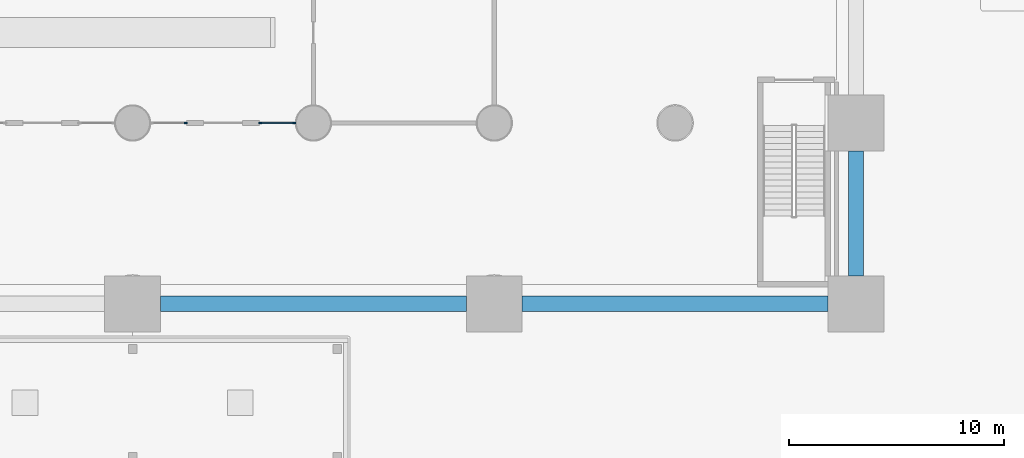
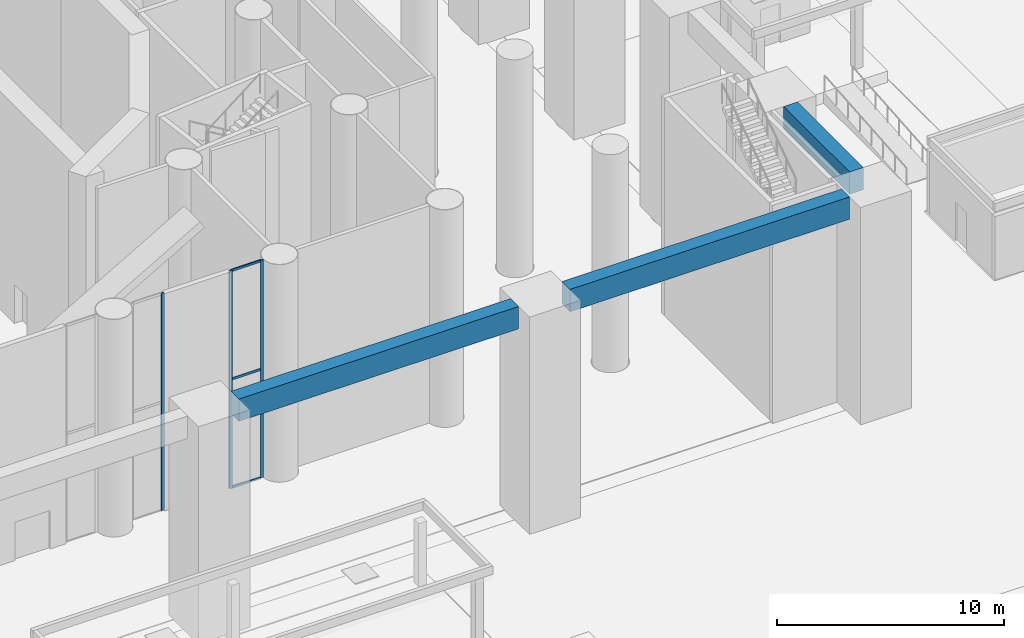
# One storey, part 4 of 52: 6 members, 3 beams, 2 elements without a shape of their own.
"""IFC4 building model written with IfcOpenShell, lengths in metres."""

from ifc_helpers import new_model, si_unit, direction, frame, origin, origin_2d, place, context, subcontext, project, spatial, rectangle, extrude, material, material_profile, profile_set, type_object, element, aggregate, save


model = new_model("IFC4")

# Units and contexts
model_context = context("Model", 3, precision=1e-05, world=origin(), true_north=direction((0.0, 1.0)))
body_context = subcontext(model_context, "Body", "Model", "MODEL_VIEW")
ifc_project = project(units=[si_unit("LENGTHUNIT", "METRE"), si_unit("AREAUNIT", "SQUARE_METRE"), si_unit("VOLUMEUNIT", "CUBIC_METRE"), si_unit("PLANEANGLEUNIT", "RADIAN"), si_unit("MASSUNIT", "GRAM", prefix="KILO")], contexts=[model_context])

# Site, building, storey
site_placement = place(None, origin())
site = spatial("IfcSite", under=ifc_project, at=site_placement, CompositionType="ELEMENT")
building_placement = place(site_placement, origin())
building = spatial("IfcBuilding", under=site, at=building_placement, Name="Cantera Rosa Tower", CompositionType="ELEMENT")
storey_placement = place(building_placement, origin())
storey = spatial("IfcBuildingStorey", under=building, at=storey_placement, Name="L00", CompositionType="ELEMENT", Elevation=0.0)

# Beams
ifc_material_1 = material(Name="Concrete C50/60", Category="concrete")
ifc_material_profile_1 = material_profile(ifc_material_1, rectangle(XDim=0.699951171875, YDim=1.199951171875, at=origin_2d()), Name="Edge girder 700x1200")
ifc_profile_set_1 = profile_set([ifc_material_profile_1], Name="Concrete C50/60")
beam_type = type_object("IfcBeamType", Name="Edge girder 700x1200", PredefinedType="BEAM", material=ifc_profile_set_1)
for number, where, z_axis, x_axis, name in (
    (1, (1.300048828125, -29.39990234375, 11.10009765625), (1.0, 0.0, 0.0), (0.0, 1.0, 0.0), "Edge girder L00-08"),
    (2, (18.10009765625, -29.39990234375, 11.10009765625), (1.0, 0.0, 0.0), (0.0, 1.0, 0.0), "Edge girder L00-10"),
):
    element("IfcBeam", number, at=place(storey_placement, frame(where, z_axis=z_axis, x_axis=x_axis)), inside=storey, type_object=beam_type, Name=name, PredefinedType="BEAM", context=body_context, shape_type="SweptSolid", body=[
        extrude(rectangle(XDim=0.699951171875, YDim=1.199951171875, at=origin_2d()), origin(), (0.0, 0.0, 1.0), 14.199951171875),
    ])
beam_placement = place(storey_placement, frame((33.60009765625, -28.10009765625, 11.10009765625), z_axis=(0.0, 1.0, 0.0), x_axis=(-1.0, 0.0, 0.0)))
element("IfcBeam", 3, at=beam_placement, inside=storey, type_object=beam_type, Name="Edge girder L00-12", PredefinedType="BEAM", context=body_context, shape_type="SweptSolid", body=[
    extrude(rectangle(XDim=0.699951171875, YDim=1.199951171875, at=origin_2d()), origin(), (0.0, 0.0, 1.0), 5.800048828125),
])

# Curtain wall, members
ifc_material_2 = material(Name="Glass", Category="glass")
curtain_wall_type = type_object("IfcCurtainWallType", Name="Pavilion curtain wall", PredefinedType="NOTDEFINED", material=ifc_material_2)
curtain_wall_1_placement = place(storey_placement, origin())
curtain_wall_1 = element("IfcCurtainWall", 4, at=curtain_wall_1_placement, inside=storey, type_object=curtain_wall_type, Name="Pavilion curtain wall RESID 12", PredefinedType="NOTDEFINED")
ifc_material_3 = material(Name="Aluminium", Category="aluminium")
ifc_material_profile_2 = material_profile(ifc_material_3, rectangle(XDim=0.06005859375, YDim=0.159912109375, at=origin_2d()), Name="Mullion pavilion 60x160")
ifc_profile_set_2 = profile_set([ifc_material_profile_2], Name="Aluminium")
member_type_1 = type_object("IfcMemberType", Name="Mullion pavilion 60x160", PredefinedType="MULLION", material=ifc_profile_set_2)
member_1_placement = place(storey_placement, frame((7.510009765625, -21.0, 0.0), z_axis=(0.0, 0.0, 1.0), x_axis=(0.0, -1.0, 0.0)))
member_1 = element("IfcMember", 5, at=member_1_placement, type_object=member_type_1, Name="CW6 mullion 1", PredefinedType="MULLION", context=body_context, shape_type="SweptSolid", body=[
    extrude(rectangle(XDim=0.06005859375, YDim=0.159912109375, at=origin_2d()), origin(), (0.0, 0.0, 1.0), 11.699951171875),
])
member_2_placement = place(storey_placement, frame((5.929931640625, -21.0, 0.0), z_axis=(0.0, 0.0, 1.0), x_axis=(0.0, -1.0, 0.0)))
member_2 = element("IfcMember", 6, at=member_2_placement, type_object=member_type_1, Name="CW6 mullion 2", PredefinedType="MULLION", context=body_context, shape_type="SweptSolid", body=[
    extrude(rectangle(XDim=0.06005859375, YDim=0.159912109375, at=origin_2d()), origin(), (0.0, 0.0, 1.0), 11.699951171875),
])

# Curtain wall, member
curtain_wall_2_placement = place(storey_placement, origin())
curtain_wall_2 = element("IfcCurtainWall", 7, at=curtain_wall_2_placement, inside=storey, type_object=curtain_wall_type, Name="Pavilion curtain wall RESID 12", PredefinedType="NOTDEFINED")
member_3_placement = place(storey_placement, frame((2.469970703125, -21.0, 0.0), z_axis=(0.0, 0.0, 1.0), x_axis=(0.0, -1.0, 0.0)))
member_3 = element("IfcMember", 8, at=member_3_placement, type_object=member_type_1, Name="CW6 mullion 1", PredefinedType="MULLION", context=body_context, shape_type="SweptSolid", body=[
    extrude(rectangle(XDim=0.06005859375, YDim=0.159912109375, at=origin_2d()), origin(), (0.0, 0.0, 1.0), 11.699951171875),
])
aggregate(curtain_wall_2, [member_3])

# Member
ifc_material_4 = material(Name="Aluminium", Category="aluminium")
ifc_material_profile_3 = material_profile(ifc_material_4, rectangle(XDim=0.06005859375, YDim=0.1201171875, at=origin_2d()), Name="Transom pavilion 60x120")
ifc_profile_set_3 = profile_set([ifc_material_profile_3], Name="Aluminium")
member_type_2 = type_object("IfcMemberType", Name="Transom pavilion 60x120", PredefinedType="USERDEFINED", material=ifc_profile_set_3)
member_4_placement = place(storey_placement, frame((7.47998046875, -21.0, 0.030029296875), z_axis=(-1.0, 0.0, 0.0), x_axis=(0.0, -1.0, 0.0)))
member_4 = element("IfcMember", 9, at=member_4_placement, type_object=member_type_2, Name="CW6 transom 1.1", ObjectType="TRANSOM", PredefinedType="USERDEFINED", context=body_context, shape_type="SweptSolid", body=[
    extrude(rectangle(XDim=0.06005859375, YDim=0.1201171875, at=origin_2d()), origin(), (0.0, 0.0, 1.0), 1.52001953125),
])

member_5_placement = place(storey_placement, frame((7.47998046875, -21.0, 5.85009765625), z_axis=(-1.0, 0.0, 0.0), x_axis=(0.0, -1.0, 0.0)))
member_5 = element("IfcMember", 10, at=member_5_placement, type_object=member_type_2, Name="CW6 transom 1.2", ObjectType="TRANSOM", PredefinedType="USERDEFINED", context=body_context, shape_type="SweptSolid", body=[
    extrude(rectangle(XDim=0.06005859375, YDim=0.1201171875, at=origin_2d()), origin(), (0.0, 0.0, 1.0), 1.52001953125),
])

member_6_placement = place(storey_placement, frame((7.47998046875, -21.0, 11.669921875), z_axis=(-1.0, 0.0, 0.0), x_axis=(0.0, -1.0, 0.0)))
member_6 = element("IfcMember", 11, at=member_6_placement, type_object=member_type_2, Name="CW6 transom 1.3", ObjectType="TRANSOM", PredefinedType="USERDEFINED", context=body_context, shape_type="SweptSolid", body=[
    extrude(rectangle(XDim=0.06005859375, YDim=0.1201171875, at=origin_2d()), origin(), (0.0, 0.0, 1.0), 1.52001953125),
])

aggregate(curtain_wall_1, [member_1, member_2, member_4, member_5, member_6])

save(model, "model.ifc")
